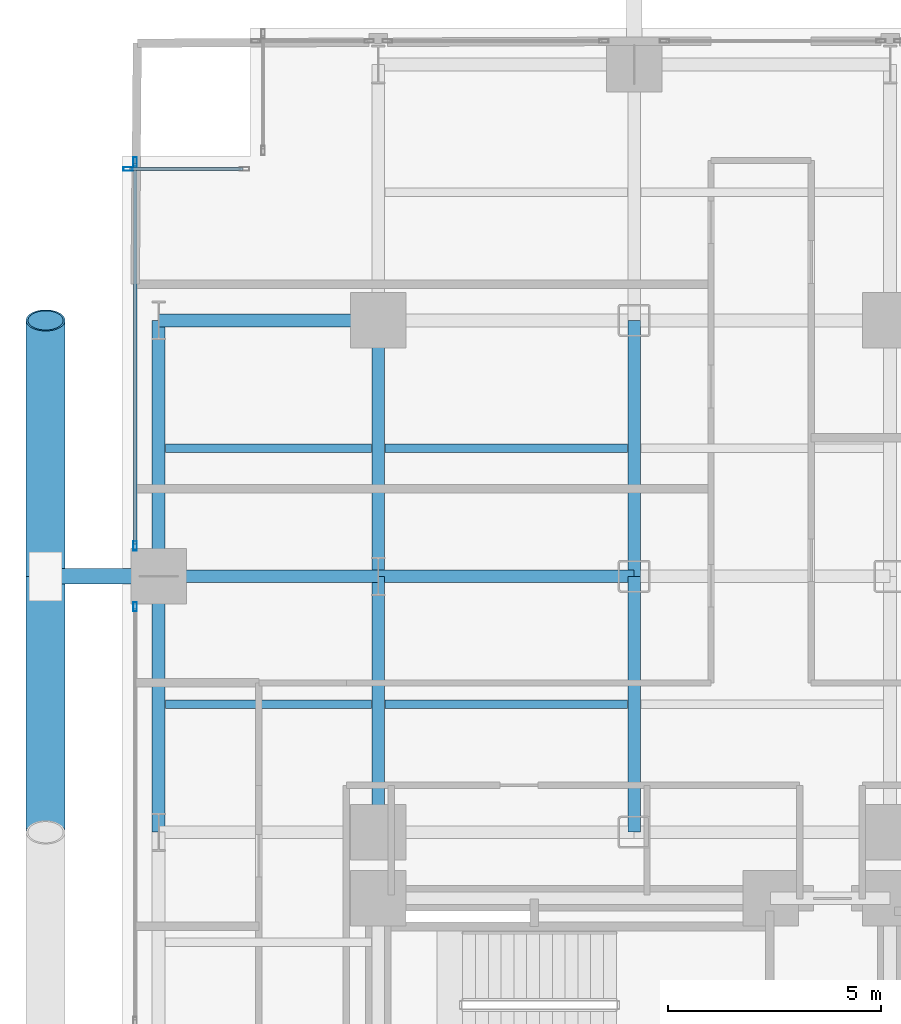
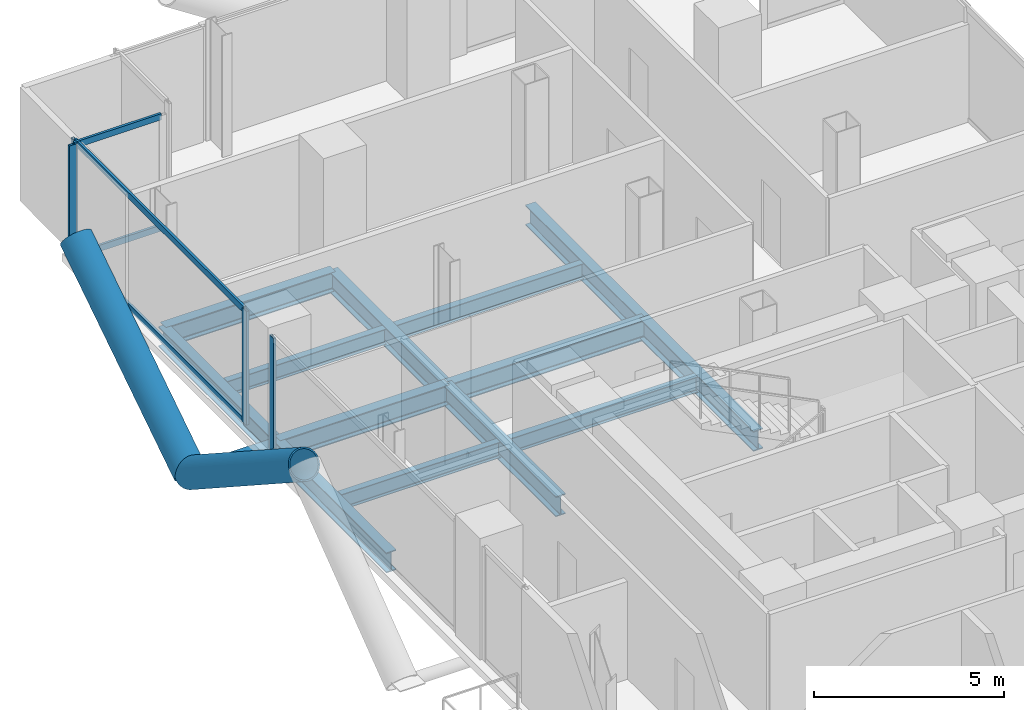
# One storey, part 13 of 25: 13 beams, 11 members, 3 elements without a shape of their own.
"""IFC4 building model written with IfcOpenShell, lengths in metres."""

import ifcopenshell
import ifcopenshell.guid

model = None  # the IFC model being written
_history = None  # IfcOwnerHistory: only IFC2X3 demands one
_inside = {}  # id of a spatial element -> (the spatial element, [elements in it])
_under = {}  # id of a project, library or spatial element -> (it, [spatial elements below it])
_declared = {}  # id of a project -> (the project, [libraries it declares])
_typed = {}  # id of a type object -> (the type object, [elements of that type])
_made_of = {}  # id of a material, layer set ... -> (it, [elements and type objects made of it])


def new_model(schema):
    """Start an empty IFC model of exactly this schema.

    Asked for "IFC4X3", IfcOpenShell would pick the latest addendum, in which some entities
    have other attributes; the version numbers below select the first issue.
    IFC2X3 requires an IfcOwnerHistory on every rooted entity: one is made here for all.
    """
    global model, _history
    if schema == "IFC4X3":
        model = ifcopenshell.file(schema_version=(4, 3, 0, 0))
    else:
        model = ifcopenshell.file(schema=schema)
    _inside.clear()
    _under.clear()
    _declared.clear()
    _typed.clear()
    _made_of.clear()
    _history = None
    if model.schema == "IFC2X3":
        org = make("IfcOrganization", Name="unknown")
        user = make(
            "IfcPersonAndOrganization",
            ThePerson=make("IfcPerson", FamilyName="unknown"),
            TheOrganization=org,
        )
        app = make(
            "IfcApplication",
            ApplicationDeveloper=org,
            Version="unknown",
            ApplicationFullName="unknown",
            ApplicationIdentifier="unknown",
        )
        _history = make(
            "IfcOwnerHistory",
            OwningUser=user,
            OwningApplication=app,
            ChangeAction="ADDED",
            CreationDate=0,
        )
    return model


def make(cls, **values):
    """One entity of the class cls with the attributes given. An attribute that is None is left unset."""
    return model.create_entity(
        cls, **{name: value for name, value in values.items() if value is not None}
    )


def rooted(cls, **values):
    """An entity with a GlobalId (a new one), such as an element, a storey or a relation."""
    return make(cls, GlobalId=ifcopenshell.guid.new(), OwnerHistory=_history, **values)


def si_unit(unit_type, name, prefix=None):
    """IfcSIUnit, for example si_unit("LENGTHUNIT", "METRE", prefix="MILLI")."""
    return make("IfcSIUnit", UnitType=unit_type, Prefix=prefix, Name=name)


def assignment(units):
    """IfcUnitAssignment: the units of a project."""
    return None if units is None else make("IfcUnitAssignment", Units=units)


def point(xyz):
    """IfcCartesianPoint."""
    return None if xyz is None else make("IfcCartesianPoint", Coordinates=xyz)


def direction(xyz):
    """IfcDirection."""
    return None if xyz is None else make("IfcDirection", DirectionRatios=xyz)


def frame(location, z_axis=None, x_axis=None):
    """IfcAxis2Placement3D, a coordinate frame: its origin and axes. An axis left out is left unset."""
    return make(
        "IfcAxis2Placement3D",
        Location=point(location),
        Axis=direction(z_axis),
        RefDirection=direction(x_axis),
    )


def frame_2d(location, x_axis=None):
    """IfcAxis2Placement2D, a coordinate frame in the plane: its origin and x axis."""
    return make(
        "IfcAxis2Placement2D", Location=point(location), RefDirection=direction(x_axis)
    )


def origin():
    """The frame at (0, 0, 0) with its axes left unset."""
    return frame((0.0, 0.0, 0.0))


def origin_2d():
    """The frame at (0, 0) in the plane with its x axis left unset."""
    return frame_2d((0.0, 0.0))


def place(relative_to, where):
    """IfcLocalPlacement: puts the frame where relative to a parent placement (None: the world)."""
    return make(
        "IfcLocalPlacement", PlacementRelTo=relative_to, RelativePlacement=where
    )


def context(
    kind, dimensions, precision=None, world=None, true_north=None, identifier=None
):
    """IfcGeometricRepresentationContext, for example the 3D "Model" context."""
    return make(
        "IfcGeometricRepresentationContext",
        ContextIdentifier=identifier,
        ContextType=kind,
        CoordinateSpaceDimension=dimensions,
        Precision=precision,
        WorldCoordinateSystem=world,
        TrueNorth=true_north,
    )


def subcontext(parent, identifier, kind, view, scale=None):
    """IfcGeometricRepresentationSubContext, for example "Body" below "Model"."""
    return make(
        "IfcGeometricRepresentationSubContext",
        ContextIdentifier=identifier,
        ContextType=kind,
        ParentContext=parent,
        TargetScale=scale,
        TargetView=view,
    )


def project(units=None, contexts=None):
    """IfcProject with its units and contexts."""
    return rooted(
        "IfcProject",
        Name="project",
        RepresentationContexts=contexts,
        UnitsInContext=assignment(units),
    )


def spatial(cls, under=None, at=None, **own):
    """A site, building, storey or space (cls), placed at a placement, below another one or the project."""
    s = rooted(cls, ObjectPlacement=at, **own)
    if under is not None:
        _under.setdefault(under.id(), (under, []))[1].append(s)
    return s


def profile(cls, at=None, kind="AREA", **sizes):
    """A parametric profile (cls). Its sizes go by their IFC names, for example OverallWidth=200.0."""
    return make(cls, ProfileType=kind, Position=at, **sizes)


def hollow_rectangle(**sizes):
    """IfcRectangleHollowProfileDef."""
    return profile("IfcRectangleHollowProfileDef", **sizes)


def hollow_circle(**sizes):
    """IfcCircleHollowProfileDef."""
    return profile("IfcCircleHollowProfileDef", **sizes)


def i_section(**sizes):
    """IfcIShapeProfileDef."""
    return profile("IfcIShapeProfileDef", **sizes)


def extrude(swept, where, along, depth):
    """IfcExtrudedAreaSolid: the profile swept, set in the frame where, extruded along a direction by depth."""
    return make(
        "IfcExtrudedAreaSolid",
        SweptArea=swept,
        Position=where,
        ExtrudedDirection=direction(along),
        Depth=depth,
    )


def shape(context_of_items, identifier, shape_type, items):
    """IfcShapeRepresentation: the items that make up one representation, for example the "Body"."""
    return make(
        "IfcShapeRepresentation",
        ContextOfItems=context_of_items,
        RepresentationIdentifier=identifier,
        RepresentationType=shape_type,
        Items=items,
    )


def material(Name=None, Category=None):
    """IfcMaterial."""
    return make("IfcMaterial", Name=Name, Category=Category)


def layer(
    of_material, thickness, ventilated=None, Name=None, Category=None, Priority=None
):
    """IfcMaterialLayer: one layer of a wall or slab, of a material (None: an air gap)."""
    return make(
        "IfcMaterialLayer",
        Material=of_material,
        LayerThickness=thickness,
        IsVentilated=ventilated,
        Name=Name,
        Category=Category,
        Priority=Priority,
    )


def layer_set(layers, Name=None):
    """IfcMaterialLayerSet."""
    return make("IfcMaterialLayerSet", MaterialLayers=layers, LayerSetName=Name)


def material_profile(
    of_material, cross_section, Name=None, Category=None, Priority=None
):
    """IfcMaterialProfile: a cross section and its material."""
    return make(
        "IfcMaterialProfile",
        Name=Name,
        Material=of_material,
        Profile=cross_section,
        Priority=Priority,
        Category=Category,
    )


def profile_set(profiles, Name=None, composite=None):
    """IfcMaterialProfileSet."""
    return make(
        "IfcMaterialProfileSet",
        Name=Name,
        MaterialProfiles=profiles,
        CompositeProfile=composite,
    )


def made_of(thing, what):
    """Note that an element or type object is made of a material, layer set ...; save() writes the relation."""
    if what is not None:
        _made_of.setdefault(what.id(), (what, []))[1].append(thing)
    return thing


def type_object(cls, material=None, **own):
    """A type object (cls), such as IfcWallType, which elements share."""
    return made_of(rooted(cls, **own), material)


def element(
    cls,
    number,
    at=None,
    inside=None,
    cuts=None,
    type_object=None,
    material=None,
    context=None,
    identifier="Body",
    shape_type=None,
    held_by="IfcProductDefinitionShape",
    body=None,
    shapes=None,
    **own,
):
    """One element of the class cls, such as IfcWall. Its Tag is "e" and its number.

    at: its placement. inside: the storey or other place that contains it. cuts: it is an
    opening in that element (IfcRelVoidsElement). A single representation is given by context,
    identifier, shape_type and body (its items); several are given by shapes. held_by: the class
    of the entity that holds the representations. save() writes the other relations.
    """
    e = rooted(cls, Tag="e%d" % number, ObjectPlacement=at, **own)
    if body is not None:
        shapes = [shape(context, identifier, shape_type, body)]
    if shapes is not None:
        e.Representation = make(held_by, Representations=shapes)
    if inside is not None:
        _inside.setdefault(inside.id(), (inside, []))[1].append(e)
    if cuts is not None:
        rooted(
            "IfcRelVoidsElement", RelatingBuildingElement=cuts, RelatedOpeningElement=e
        )
    if type_object is not None:
        _typed.setdefault(type_object.id(), (type_object, []))[1].append(e)
    return made_of(e, material)


def aggregate(whole, parts):
    """IfcRelAggregates: a whole, such as a stair, and the parts it consists of."""
    return rooted("IfcRelAggregates", RelatingObject=whole, RelatedObjects=parts)


def save(model, path):
    """Write the relations noted so far, then the file.

    IfcRelAggregates (storeys below a building ...), IfcRelContainedInSpatialStructure (elements
    in a storey), IfcRelDefinesByType, IfcRelAssociatesMaterial and IfcRelDeclares: one each for
    every whole, place, type object, material and project.
    """
    for whole, parts in _under.values():
        aggregate(whole, parts)
    for where, things in _inside.values():
        rooted(
            "IfcRelContainedInSpatialStructure",
            RelatedElements=things,
            RelatingStructure=where,
        )
    for kind, things in _typed.values():
        rooted("IfcRelDefinesByType", RelatedObjects=things, RelatingType=kind)
    for what, things in _made_of.values():
        rooted("IfcRelAssociatesMaterial", RelatedObjects=things, RelatingMaterial=what)
    for by, libraries in _declared.values():
        rooted("IfcRelDeclares", RelatingContext=by, RelatedDefinitions=libraries)
    model.write(path)


model = new_model("IFC4")

# Units and contexts
model_context = context("Model", 3, precision=1e-05, world=origin(), true_north=direction((0.0, 1.0)))
body_context = subcontext(model_context, "Body", "Model", "MODEL_VIEW")
ifc_project = project(units=[si_unit("LENGTHUNIT", "METRE"), si_unit("AREAUNIT", "SQUARE_METRE"), si_unit("VOLUMEUNIT", "CUBIC_METRE"), si_unit("PLANEANGLEUNIT", "RADIAN"), si_unit("MASSUNIT", "GRAM", prefix="KILO"), si_unit("THERMODYNAMICTEMPERATUREUNIT", "KELVIN"), si_unit("POWERUNIT", "WATT")], contexts=[model_context])

# Site, building, storey
site_placement = place(None, origin())
site = spatial("IfcSite", under=ifc_project, at=site_placement, CompositionType="ELEMENT")
building_placement = place(site_placement, origin())
building = spatial("IfcBuilding", under=site, at=building_placement, Name="Svarakhadi Broadcast Tower", CompositionType="ELEMENT")
storey_placement = place(building_placement, frame((0.0, 0.0, 67.5)))
storey = spatial("IfcBuildingStorey", under=building, at=storey_placement, Name="L15", CompositionType="ELEMENT", Elevation=67.5)

# Beams
ifc_material_1 = material(Name="Steel S355J2 (IS 2062 E350C)", Category="steel")
ifc_material_profile_1 = material_profile(ifc_material_1, i_section(OverallWidth=0.199951171875, OverallDepth=0.5, WebThickness=0.01025390625, FlangeThickness=0.01611328125, FilletRadius=0.02099609375, at=origin_2d()), Name="NPB 500x200x91")
ifc_profile_set_1 = profile_set([ifc_material_profile_1], Name="Steel S355J2 (IS 2062 E350C)")
beam_type_1 = type_object("IfcBeamType", Name="Beam_NPB500", PredefinedType="BEAM", material=ifc_profile_set_1)
for number, where, z_axis, x_axis, name in (
    (1, (1.010009765625, 32.14990234375, -0.5), (1.0, 0.0, 0.0), (0.0, 1.0, 0.0), "L15 Secondary Composite Beam SB005"),
    (2, (1.010009765625, 38.14990234375, -0.5), (1.0, 0.0, 0.0), (0.0, 1.0, 0.0), "L15 Secondary Composite Beam SB006"),
):
    element("IfcBeam", number, at=place(storey_placement, frame(where, z_axis=z_axis, x_axis=x_axis)), inside=storey, type_object=beam_type_1, Name=name, PredefinedType="BEAM", context=body_context, shape_type="SweptSolid", body=[
        extrude(i_section(OverallWidth=0.199951171875, OverallDepth=0.5, WebThickness=0.01025390625, FlangeThickness=0.01611328125, FilletRadius=0.02099609375, at=origin_2d()), origin(), (0.0, 0.0, 1.0), 4.830078125),
    ])
for number, where, z_axis, x_axis, name in (
    (3, (6.159912109375, 32.14990234375, -0.5), (1.0, 0.0, 0.0), (0.0, 1.0, 0.0), "L15 Secondary Composite Beam SB010"),
    (4, (6.159912109375, 38.14990234375, -0.5), (1.0, 0.0, 0.0), (0.0, 1.0, 0.0), "L15 Secondary Composite Beam SB011"),
):
    element("IfcBeam", number, at=place(storey_placement, frame(where, z_axis=z_axis, x_axis=x_axis)), inside=storey, type_object=beam_type_1, Name=name, PredefinedType="BEAM", context=body_context, shape_type="SweptSolid", body=[
        extrude(i_section(OverallWidth=0.199951171875, OverallDepth=0.5, WebThickness=0.01025390625, FlangeThickness=0.01611328125, FilletRadius=0.02099609375, at=origin_2d()), origin(), (0.0, 0.0, 1.0), 5.68017578125),
    ])

# Curtain wall, member
ifc_material_2 = material(Name="Anodised Bronze Aluminium AA 6063-T6", Category="aluminium")
ifc_layer = layer(ifc_material_2, 0.219970703125)
ifc_layer_set = layer_set([ifc_layer], Name="Anodised Bronze Aluminium AA 6063-T6")
curtain_wall_type = type_object("IfcCurtainWallType", Name="CW_Sys_02", PredefinedType="NOTDEFINED", material=ifc_layer_set)
curtain_wall_1_placement = place(storey_placement, origin())
curtain_wall_1 = element("IfcCurtainWall", 5, at=curtain_wall_1_placement, inside=storey, type_object=curtain_wall_type, Name="L15 West Curtain Wall 03 Bay 2", PredefinedType="NOTDEFINED")
ifc_material_profile_2 = material_profile(ifc_material_2, hollow_rectangle(XDim=0.0849609375, YDim=0.219970703125, WallThickness=0.006103515625, at=origin_2d()), Name="ALU MULLION 220x85x6")
ifc_profile_set_2 = profile_set([ifc_material_profile_2], Name="Anodised Bronze Aluminium AA 6063-T6")
member_type_1 = type_object("IfcMemberType", Name="CW_Sys_02_Mul", PredefinedType="MULLION", material=ifc_profile_set_2)
member_1_placement = place(storey_placement, frame((0.300048828125, 34.4375, 0.0), z_axis=(0.0, 0.0, 1.0), x_axis=(-1.0, 0.0, 0.0)))
member_1 = element("IfcMember", 6, at=member_1_placement, type_object=member_type_1, Name="CW-02 mullion 2", PredefinedType="MULLION", context=body_context, shape_type="SweptSolid", body=[
    extrude(hollow_rectangle(XDim=0.0849609375, YDim=0.219970703125, WallThickness=0.006103515625, at=origin_2d()), origin(), (0.0, 0.0, 1.0), 3.64990234375),
])
aggregate(curtain_wall_1, [member_1])

# Curtain wall, members
curtain_wall_2_placement = place(storey_placement, origin())
curtain_wall_2 = element("IfcCurtainWall", 7, at=curtain_wall_2_placement, inside=storey, type_object=curtain_wall_type, Name="L15 West Curtain Wall 03 Bay 3", PredefinedType="NOTDEFINED")
member_2_placement = place(storey_placement, frame((0.300048828125, 35.862548828125, 0.0), z_axis=(0.0, 0.0, 1.0), x_axis=(-1.0, 0.0, 0.0)))
member_2 = element("IfcMember", 8, at=member_2_placement, type_object=member_type_1, Name="CW-02 mullion 1", PredefinedType="MULLION", context=body_context, shape_type="SweptSolid", body=[
    extrude(hollow_rectangle(XDim=0.0849609375, YDim=0.219970703125, WallThickness=0.006103515625, at=origin_2d()), origin(), (0.0, 0.0, 1.0), 3.64990234375),
])
member_3_placement = place(storey_placement, frame((0.300048828125, 44.867431640625, 0.0), z_axis=(0.0, 0.0, 1.0), x_axis=(-1.0, 0.0, 0.0)))
member_3 = element("IfcMember", 9, at=member_3_placement, type_object=member_type_1, Name="CW-02 mullion 2", PredefinedType="MULLION", context=body_context, shape_type="SweptSolid", body=[
    extrude(hollow_rectangle(XDim=0.0849609375, YDim=0.219970703125, WallThickness=0.006103515625, at=origin_2d()), origin(), (0.0, 0.0, 1.0), 3.64990234375),
])

# Curtain wall, member
curtain_wall_3_placement = place(storey_placement, origin())
curtain_wall_3 = element("IfcCurtainWall", 10, at=curtain_wall_3_placement, inside=storey, type_object=curtain_wall_type, Name="L15 Unitised Facade Curtain Wall 04", PredefinedType="NOTDEFINED")
member_4_placement = place(storey_placement, frame((0.132568359375, 44.699951171875, 0.0), z_axis=(0.0, 0.0, 1.0), x_axis=(0.0, 1.0, 0.0)))
member_4 = element("IfcMember", 11, at=member_4_placement, type_object=member_type_1, Name="CW-02 mullion 1", PredefinedType="MULLION", context=body_context, shape_type="SweptSolid", body=[
    extrude(hollow_rectangle(XDim=0.0849609375, YDim=0.219970703125, WallThickness=0.006103515625, at=origin_2d()), origin(), (0.0, 0.0, 1.0), 3.64990234375),
])

# Member
ifc_material_profile_3 = material_profile(ifc_material_2, hollow_rectangle(XDim=0.074951171875, YDim=0.199951171875, WallThickness=0.0048828125, at=origin_2d()), Name="ALU TRANSOM 200x75x5")
ifc_profile_set_3 = profile_set([ifc_material_profile_3], Name="Anodised Bronze Aluminium AA 6063-T6")
member_type_2 = type_object("IfcMemberType", Name="CW_Sys_02_Trn", PredefinedType="USERDEFINED", material=ifc_profile_set_3)
member_5_placement = place(storey_placement, frame((0.300048828125, 35.905029296875, 0.03759765625), z_axis=(0.0, 1.0, 0.0), x_axis=(-1.0, 0.0, 0.0)))
member_5 = element("IfcMember", 12, at=member_5_placement, type_object=member_type_2, Name="CW-02 transom 1.1", ObjectType="TRANSOM", PredefinedType="USERDEFINED", context=body_context, shape_type="SweptSolid", body=[
    extrude(hollow_rectangle(XDim=0.074951171875, YDim=0.199951171875, WallThickness=0.0048828125, at=origin_2d()), origin(), (0.0, 0.0, 1.0), 8.919921875),
])

member_6_placement = place(storey_placement, frame((0.300048828125, 35.905029296875, 3.612548828125), z_axis=(0.0, 1.0, 0.0), x_axis=(-1.0, 0.0, 0.0)))
member_6 = element("IfcMember", 13, at=member_6_placement, type_object=member_type_2, Name="CW-02 transom 1.2", ObjectType="TRANSOM", PredefinedType="USERDEFINED", context=body_context, shape_type="SweptSolid", body=[
    extrude(hollow_rectangle(XDim=0.074951171875, YDim=0.199951171875, WallThickness=0.0048828125, at=origin_2d()), origin(), (0.0, 0.0, 1.0), 8.919921875),
])

aggregate(curtain_wall_2, [member_2, member_3, member_5, member_6])

member_7_placement = place(storey_placement, frame((0.175048828125, 44.699951171875, 0.03759765625), z_axis=(1.0, 0.0, 0.0), x_axis=(0.0, 1.0, 0.0)))
member_7 = element("IfcMember", 14, at=member_7_placement, type_object=member_type_2, Name="CW-02 transom 1.1", ObjectType="TRANSOM", PredefinedType="USERDEFINED", context=body_context, shape_type="SweptSolid", body=[
    extrude(hollow_rectangle(XDim=0.074951171875, YDim=0.199951171875, WallThickness=0.0048828125, at=origin_2d()), origin(), (0.0, 0.0, 1.0), 2.64990234375),
])

member_8_placement = place(storey_placement, frame((0.175048828125, 44.699951171875, 3.612548828125), z_axis=(1.0, 0.0, 0.0), x_axis=(0.0, 1.0, 0.0)))
member_8 = element("IfcMember", 15, at=member_8_placement, type_object=member_type_2, Name="CW-02 transom 1.2", ObjectType="TRANSOM", PredefinedType="USERDEFINED", context=body_context, shape_type="SweptSolid", body=[
    extrude(hollow_rectangle(XDim=0.074951171875, YDim=0.199951171875, WallThickness=0.0048828125, at=origin_2d()), origin(), (0.0, 0.0, 1.0), 2.64990234375),
])

aggregate(curtain_wall_3, [member_4, member_7, member_8])

# Members
ifc_material_3 = material(Name="Steel S460ML (IS 2062 E450BR)", Category="steel")
ifc_material_profile_4 = material_profile(ifc_material_3, hollow_circle(Radius=0.45703125, WallThickness=0.044921875, at=origin_2d()), Name="CHS 914x45")
ifc_profile_set_4 = profile_set([ifc_material_profile_4], Name="Steel S460ML (IS 2062 E450BR)")
member_type_3 = type_object("IfcMemberType", Name="Exo_Brace_CHS914", PredefinedType="BRACE", material=ifc_profile_set_4)
for number, where, z_axis, x_axis, name in (
    (16, (-1.800048828125, 35.14990234375, -0.427734375), (0.0, -0.838449851971, 0.544978757136), (1.0, 0.0, 0.0), "L15 Exposed Bronze Exoskeleton Diagonal W06"),
    (17, (-1.800048828125, 35.14990234375, -0.427734375), (0.0, 0.838449851971, 0.544978757136), (-1.0, 0.0, 0.0), "L15 Exposed Bronze Exoskeleton Diagonal W07"),
):
    element("IfcMember", number, at=place(storey_placement, frame(where, z_axis=z_axis, x_axis=x_axis)), inside=storey, type_object=member_type_3, Name=name, PredefinedType="BRACE", context=body_context, shape_type="SweptSolid", body=[
        extrude(hollow_circle(Radius=0.45703125, WallThickness=0.044921875, at=origin_2d()), origin(), (0.0, 0.0, 1.0), 7.156005859375),
    ])
ifc_material_profile_5 = material_profile(ifc_material_3, hollow_circle(Radius=0.177734375, WallThickness=0.02001953125, at=origin_2d()), Name="CHS 355.6x20")
ifc_profile_set_5 = profile_set([ifc_material_profile_5], Name="Steel S460ML (IS 2062 E450BR)")
member_type_4 = type_object("IfcMemberType", Name="Exo_Radial_Strut_Z1", PredefinedType="STRUT", material=ifc_profile_set_5)
member_9_placement = place(storey_placement, frame((-1.800048828125, 35.14990234375, -0.427734375), z_axis=(1.0, 0.0, 0.0), x_axis=(0.0, 1.0, 0.0)))
element("IfcMember", 18, at=member_9_placement, inside=storey, type_object=member_type_4, Name="L15 Exoskeleton Radial Tie Strut W05", PredefinedType="STRUT", context=body_context, shape_type="SweptSolid", body=[
    extrude(hollow_circle(Radius=0.177734375, WallThickness=0.02001953125, at=origin_2d()), origin(), (0.0, 0.0, 1.0), 2.650146484375),
])

# Beams
ifc_material_profile_6 = material_profile(ifc_material_1, i_section(OverallWidth=0.300048828125, OverallDepth=0.64990234375, WebThickness=0.01611328125, FlangeThickness=0.031005859375, FilletRadius=0.027099609375, at=origin_2d()), Name="WPB 650x300x225")
ifc_profile_set_6 = profile_set([ifc_material_profile_6], Name="Steel S355J2 (IS 2062 E350C)")
beam_type_2 = type_object("IfcBeamType", Name="Girder_WPB650", PredefinedType="USERDEFINED", material=ifc_profile_set_6)
beam_1_placement = place(storey_placement, frame((0.85009765625, 35.14990234375, -0.574951171875), z_axis=(1.0, 0.0, 0.0), x_axis=(0.0, 1.0, 0.0)))
element("IfcBeam", 19, at=beam_1_placement, inside=storey, type_object=beam_type_2, Name="L15 Primary E-W Girder G037", ObjectType="GIRDER", PredefinedType="USERDEFINED", context=body_context, shape_type="SweptSolid", body=[
    extrude(i_section(OverallWidth=0.300048828125, OverallDepth=0.64990234375, WebThickness=0.01611328125, FlangeThickness=0.031005859375, FilletRadius=0.027099609375, at=origin_2d()), origin(), (0.0, 0.0, 1.0), 5.14990234375),
])
beam_2_placement = place(storey_placement, frame((6.0, 35.14990234375, -0.574951171875), z_axis=(1.0, 0.0, 0.0), x_axis=(0.0, 1.0, 0.0)))
element("IfcBeam", 20, at=beam_2_placement, inside=storey, type_object=beam_type_2, Name="L15 Primary E-W Girder G038", ObjectType="GIRDER", PredefinedType="USERDEFINED", context=body_context, shape_type="SweptSolid", body=[
    extrude(i_section(OverallWidth=0.300048828125, OverallDepth=0.64990234375, WebThickness=0.01611328125, FlangeThickness=0.031005859375, FilletRadius=0.027099609375, at=origin_2d()), origin(), (0.0, 0.0, 1.0), 6.0),
])
beam_3_placement = place(storey_placement, frame((0.85009765625, 41.14990234375, -0.574951171875), z_axis=(1.0, 0.0, 0.0), x_axis=(0.0, 1.0, 0.0)))
element("IfcBeam", 21, at=beam_3_placement, inside=storey, type_object=beam_type_2, Name="L15 Primary E-W Girder G040", ObjectType="GIRDER", PredefinedType="USERDEFINED", context=body_context, shape_type="SweptSolid", body=[
    extrude(i_section(OverallWidth=0.300048828125, OverallDepth=0.64990234375, WebThickness=0.01611328125, FlangeThickness=0.031005859375, FilletRadius=0.027099609375, at=origin_2d()), origin(), (0.0, 0.0, 1.0), 5.14990234375),
])
for number, where, z_axis, x_axis, name in (
    (22, (0.85009765625, 29.14990234375, -0.574951171875), (0.0, 1.0, 0.0), (-1.0, 0.0, 0.0), "L15 Primary N-S Girder G049"),
    (23, (0.85009765625, 35.14990234375, -0.574951171875), (0.0, 1.0, 0.0), (-1.0, 0.0, 0.0), "L15 Primary N-S Girder G050"),
    (24, (6.0, 29.14990234375, -0.574951171875), (0.0, 1.0, 0.0), (-1.0, 0.0, 0.0), "L15 Primary N-S Girder G055"),
    (25, (6.0, 35.14990234375, -0.574951171875), (0.0, 1.0, 0.0), (-1.0, 0.0, 0.0), "L15 Primary N-S Girder G056"),
    (26, (12.0, 29.14990234375, -0.574951171875), (0.0, 1.0, 0.0), (-1.0, 0.0, 0.0), "L15 Primary N-S Girder G061"),
    (27, (12.0, 35.14990234375, -0.574951171875), (0.0, 1.0, 0.0), (-1.0, 0.0, 0.0), "L15 Primary N-S Girder G062"),
):
    element("IfcBeam", number, at=place(storey_placement, frame(where, z_axis=z_axis, x_axis=x_axis)), inside=storey, type_object=beam_type_2, Name=name, ObjectType="GIRDER", PredefinedType="USERDEFINED", context=body_context, shape_type="SweptSolid", body=[
        extrude(i_section(OverallWidth=0.300048828125, OverallDepth=0.64990234375, WebThickness=0.01611328125, FlangeThickness=0.031005859375, FilletRadius=0.027099609375, at=origin_2d()), origin(), (0.0, 0.0, 1.0), 6.0),
    ])

save(model, "model.ifc")
